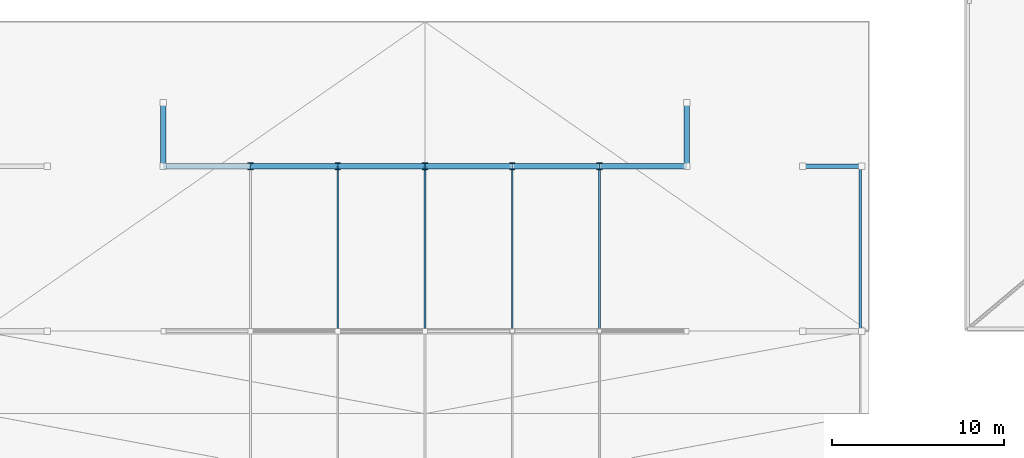
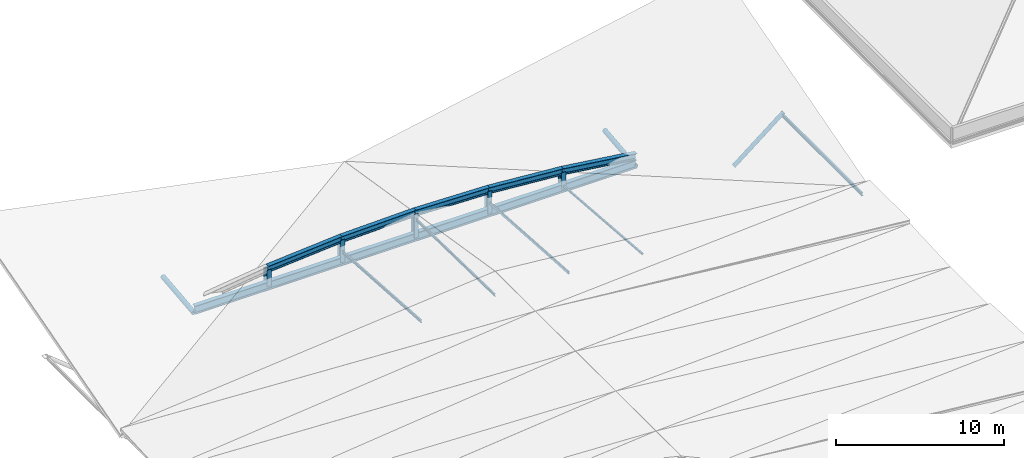
# One storey, part 9 of 16: 19 members.
"""IFC4 building model written with IfcOpenShell, lengths in metres."""

from ifc_helpers import new_model, si_unit, direction, frame, origin, origin_2d, place, context, subcontext, project, spatial, hollow_rectangle, hollow_circle, i_section, extrude, material, material_profile, profile_set, type_object, element, save


model = new_model("IFC4")

# Units and contexts
model_context = context("Model", 3, precision=1e-05, world=origin(), true_north=direction((0.0, 1.0)))
body_context = subcontext(model_context, "Body", "Model", "MODEL_VIEW")
ifc_project = project(units=[si_unit("LENGTHUNIT", "METRE"), si_unit("AREAUNIT", "SQUARE_METRE"), si_unit("VOLUMEUNIT", "CUBIC_METRE"), si_unit("PLANEANGLEUNIT", "RADIAN"), si_unit("MASSUNIT", "GRAM", prefix="KILO")], contexts=[model_context])

# Site, building, storey
site_placement = place(None, origin())
site = spatial("IfcSite", under=ifc_project, at=site_placement, CompositionType="ELEMENT")
building_placement = place(site_placement, origin())
building = spatial("IfcBuilding", under=site, at=building_placement, Name="Myrtia Square Station", CompositionType="ELEMENT")
storey_placement = place(building_placement, frame((0.0, 0.0, 22.800048828125)))
storey = spatial("IfcBuildingStorey", under=building, at=storey_placement, Name="RF", CompositionType="ELEMENT", Elevation=22.800048828125)

# Members
ifc_material = material(Name="Steel S355", Category="steel")
ifc_material_profile_1 = material_profile(ifc_material, i_section(OverallWidth=0.300048828125, OverallDepth=0.39990234375, WebThickness=0.013427734375, FlangeThickness=0.02392578125, FilletRadius=0.027099609375, at=origin_2d()), Name="HEB 400")
ifc_profile_set_1 = profile_set([ifc_material_profile_1], Name="Steel S355")
member_type_1 = type_object("IfcMemberType", Name="CHD-HEB400", PredefinedType="CHORD", material=ifc_profile_set_1)
member_1_placement = place(storey_placement, frame((84.425048828125, 96.0, -1.449951171875), z_axis=(0.0, 0.0, 1.0), x_axis=(1.0, 0.0, 0.0)))
element("IfcMember", 1, at=member_1_placement, inside=storey, type_object=member_type_1, Name="Bowstring arch truss 08 vertical hanger 1", PredefinedType="CHORD", context=body_context, shape_type="SweptSolid", body=[
    extrude(i_section(OverallWidth=0.300048828125, OverallDepth=0.39990234375, WebThickness=0.013427734375, FlangeThickness=0.02392578125, FilletRadius=0.027099609375, at=origin_2d()), origin(), (0.0, 0.0, 1.0), 1.216796875),
])
member_2_placement = place(storey_placement, frame((89.5, 96.0, -1.449951171875), z_axis=(0.0, 0.0, 1.0), x_axis=(1.0, 0.0, 0.0)))
element("IfcMember", 2, at=member_2_placement, inside=storey, type_object=member_type_1, Name="Bowstring arch truss 08 vertical hanger 2", PredefinedType="CHORD", context=body_context, shape_type="SweptSolid", body=[
    extrude(i_section(OverallWidth=0.300048828125, OverallDepth=0.39990234375, WebThickness=0.013427734375, FlangeThickness=0.02392578125, FilletRadius=0.027099609375, at=origin_2d()), origin(), (0.0, 0.0, 1.0), 1.616943359375),
])
member_3_placement = place(storey_placement, frame((94.574951171875, 96.0, -1.449951171875), z_axis=(0.0, 0.0, 1.0), x_axis=(1.0, 0.0, 0.0)))
element("IfcMember", 3, at=member_3_placement, inside=storey, type_object=member_type_1, Name="Bowstring arch truss 08 vertical hanger 3", PredefinedType="CHORD", context=body_context, shape_type="SweptSolid", body=[
    extrude(i_section(OverallWidth=0.300048828125, OverallDepth=0.39990234375, WebThickness=0.013427734375, FlangeThickness=0.02392578125, FilletRadius=0.027099609375, at=origin_2d()), origin(), (0.0, 0.0, 1.0), 1.75),
])
member_4_placement = place(storey_placement, frame((99.64990234375, 96.0, -1.449951171875), z_axis=(0.0, 0.0, 1.0), x_axis=(1.0, 0.0, 0.0)))
element("IfcMember", 4, at=member_4_placement, inside=storey, type_object=member_type_1, Name="Bowstring arch truss 08 vertical hanger 4", PredefinedType="CHORD", context=body_context, shape_type="SweptSolid", body=[
    extrude(i_section(OverallWidth=0.300048828125, OverallDepth=0.39990234375, WebThickness=0.013427734375, FlangeThickness=0.02392578125, FilletRadius=0.027099609375, at=origin_2d()), origin(), (0.0, 0.0, 1.0), 1.616943359375),
])
member_5_placement = place(storey_placement, frame((104.72509765625, 96.0, -1.449951171875), z_axis=(0.0, 0.0, 1.0), x_axis=(1.0, 0.0, 0.0)))
element("IfcMember", 5, at=member_5_placement, inside=storey, type_object=member_type_1, Name="Bowstring arch truss 08 vertical hanger 5", PredefinedType="CHORD", context=body_context, shape_type="SweptSolid", body=[
    extrude(i_section(OverallWidth=0.300048828125, OverallDepth=0.39990234375, WebThickness=0.013427734375, FlangeThickness=0.02392578125, FilletRadius=0.027099609375, at=origin_2d()), origin(), (0.0, 0.0, 1.0), 1.216796875),
])
ifc_material_profile_2 = material_profile(ifc_material, i_section(OverallWidth=0.300048828125, OverallDepth=0.449951171875, WebThickness=0.013916015625, FlangeThickness=0.02587890625, FilletRadius=0.027099609375, at=origin_2d()), Name="HEB 450")
ifc_profile_set_2 = profile_set([ifc_material_profile_2], Name="Steel S355")
member_type_2 = type_object("IfcMemberType", Name="CHD-HEB450", PredefinedType="CHORD", material=ifc_profile_set_2)
member_6_placement = place(storey_placement, frame((84.425048828125, 96.0, -0.233154296875), z_axis=(0.996905966221, 0.0, 0.078603400136), x_axis=(0.0, 1.0, 0.0)))
element("IfcMember", 6, at=member_6_placement, inside=storey, type_object=member_type_2, Name="Bowstring arch truss 08 arch chord 2", PredefinedType="CHORD", context=body_context, shape_type="SweptSolid", body=[
    extrude(i_section(OverallWidth=0.300048828125, OverallDepth=0.449951171875, WebThickness=0.013916015625, FlangeThickness=0.02587890625, FilletRadius=0.027099609375, at=origin_2d()), origin(), (0.0, 0.0, 1.0), 5.0908203125),
])
for number, where, z_axis, x_axis, name in (
    (7, (89.5, 96.0, 0.1669921875), (0.999656477216, 0.0, 0.026209302934), (0.0, 1.0, 0.0), "Bowstring arch truss 08 arch chord 3"),
    (8, (94.574951171875, 96.0, 0.300048828125), (0.999656477216, 0.0, -0.026209302934), (0.0, 1.0, 0.0), "Bowstring arch truss 08 arch chord 4"),
):
    element("IfcMember", number, at=place(storey_placement, frame(where, z_axis=z_axis, x_axis=x_axis)), inside=storey, type_object=member_type_2, Name=name, PredefinedType="CHORD", context=body_context, shape_type="SweptSolid", body=[
        extrude(i_section(OverallWidth=0.300048828125, OverallDepth=0.449951171875, WebThickness=0.013916015625, FlangeThickness=0.02587890625, FilletRadius=0.027099609375, at=origin_2d()), origin(), (0.0, 0.0, 1.0), 5.07666015625),
    ])
member_7_placement = place(storey_placement, frame((99.64990234375, 96.0, 0.1669921875), z_axis=(0.996906262509, 0.0, -0.078599642306), x_axis=(0.0, 1.0, 0.0)))
element("IfcMember", 9, at=member_7_placement, inside=storey, type_object=member_type_2, Name="Bowstring arch truss 08 arch chord 5", PredefinedType="CHORD", context=body_context, shape_type="SweptSolid", body=[
    extrude(i_section(OverallWidth=0.300048828125, OverallDepth=0.449951171875, WebThickness=0.013916015625, FlangeThickness=0.02587890625, FilletRadius=0.027099609375, at=origin_2d()), origin(), (0.0, 0.0, 1.0), 5.091064453125),
])
member_8_placement = place(storey_placement, frame((104.72509765625, 96.0, -0.233154296875), z_axis=(0.991473603665, 0.0, -0.130307686786), x_axis=(0.0, 1.0, 0.0)))
element("IfcMember", 10, at=member_8_placement, inside=storey, type_object=member_type_2, Name="Bowstring arch truss 08 arch chord 6", PredefinedType="CHORD", context=body_context, shape_type="SweptSolid", body=[
    extrude(i_section(OverallWidth=0.300048828125, OverallDepth=0.449951171875, WebThickness=0.013916015625, FlangeThickness=0.02587890625, FilletRadius=0.027099609375, at=origin_2d()), origin(), (0.0, 0.0, 1.0), 5.11865234375),
])
ifc_material_profile_3 = material_profile(ifc_material, i_section(OverallWidth=0.300048828125, OverallDepth=0.60009765625, WebThickness=0.015380859375, FlangeThickness=0.030029296875, FilletRadius=0.027099609375, at=origin_2d()), Name="HEB 600")
ifc_profile_set_3 = profile_set([ifc_material_profile_3], Name="Steel S355")
member_type_3 = type_object("IfcMemberType", Name="CHD-HEB600", PredefinedType="CHORD", material=ifc_profile_set_3)
member_9_placement = place(storey_placement, frame((79.35009765625, 96.0, -1.449951171875), z_axis=(1.0, 0.0, 0.0), x_axis=(0.0, 1.0, 0.0)))
element("IfcMember", 11, at=member_9_placement, inside=storey, type_object=member_type_3, Name="Bowstring arch truss 08 tie chord", PredefinedType="CHORD", context=body_context, shape_type="SweptSolid", body=[
    extrude(i_section(OverallWidth=0.300048828125, OverallDepth=0.60009765625, WebThickness=0.015380859375, FlangeThickness=0.030029296875, FilletRadius=0.027099609375, at=origin_2d()), origin(), (0.0, 0.0, 1.0), 30.449951171875),
])
ifc_material_profile_4 = material_profile(ifc_material, i_section(OverallWidth=0.091064453125, OverallDepth=0.179931640625, WebThickness=0.00537109375, FlangeThickness=0.008056640625, FilletRadius=0.009033203125, at=origin_2d()), Name="IPE 180")
ifc_profile_set_4 = profile_set([ifc_material_profile_4], Name="Steel S355")
member_type_4 = type_object("IfcMemberType", Name="PUR-IPE180", PredefinedType="PURLIN", material=ifc_profile_set_4)
member_10_placement = place(storey_placement, frame((94.574951171875, 86.39990234375, 0.06005859375), z_axis=(0.0, 0.999800283577, -0.019984818241), x_axis=(-1.0, 0.0, 0.0)))
element("IfcMember", 12, at=member_10_placement, inside=storey, type_object=member_type_4, Name="Folded roof purlin PUR-RF-0056", PredefinedType="PURLIN", context=body_context, shape_type="SweptSolid", body=[
    extrude(i_section(OverallWidth=0.091064453125, OverallDepth=0.179931640625, WebThickness=0.00537109375, FlangeThickness=0.008056640625, FilletRadius=0.009033203125, at=origin_2d()), origin(), (0.0, 0.0, 1.0), 9.60205078125),
])
ifc_material_profile_5 = material_profile(ifc_material, i_section(OverallWidth=0.10009765625, OverallDepth=0.199951171875, WebThickness=0.005615234375, FlangeThickness=0.008544921875, FilletRadius=0.011962890625, at=origin_2d()), Name="IPE 200")
ifc_profile_set_5 = profile_set([ifc_material_profile_5], Name="Steel S355")
member_type_5 = type_object("IfcMemberType", Name="PUR-IPE200", PredefinedType="PURLIN", material=ifc_profile_set_5)
member_11_placement = place(storey_placement, frame((89.5, 86.39990234375, -0.0732421875), z_axis=(0.0, 0.997796035526, -0.066355643988), x_axis=(-1.0, 0.0, 0.0)))
element("IfcMember", 13, at=member_11_placement, inside=storey, type_object=member_type_5, Name="Folded roof purlin PUR-RF-0055", PredefinedType="PURLIN", context=body_context, shape_type="SweptSolid", body=[
    extrude(i_section(OverallWidth=0.10009765625, OverallDepth=0.199951171875, WebThickness=0.005615234375, FlangeThickness=0.008544921875, FilletRadius=0.011962890625, at=origin_2d()), origin(), (0.0, 0.0, 1.0), 9.621337890625),
])
ifc_material_profile_6 = material_profile(ifc_material, i_section(OverallWidth=0.1201171875, OverallDepth=0.239990234375, WebThickness=0.006103515625, FlangeThickness=0.009765625, FilletRadius=0.014892578125, at=origin_2d()), Name="IPE 240")
ifc_profile_set_6 = profile_set([ifc_material_profile_6], Name="Steel S355")
member_type_6 = type_object("IfcMemberType", Name="PUR-IPE240", PredefinedType="PURLIN", material=ifc_profile_set_6)
member_12_placement = place(storey_placement, frame((119.89990234375, 86.39990234375, -1.4599609375), z_axis=(0.0, 1.0, 0.0), x_axis=(-1.0, 0.0, 0.0)))
element("IfcMember", 14, at=member_12_placement, inside=storey, type_object=member_type_6, Name="Overhang eave purlin PUR-RF-0060", PredefinedType="PURLIN", context=body_context, shape_type="SweptSolid", body=[
    extrude(i_section(OverallWidth=0.1201171875, OverallDepth=0.239990234375, WebThickness=0.006103515625, FlangeThickness=0.009765625, FilletRadius=0.014892578125, at=origin_2d()), origin(), (0.0, 0.0, 1.0), 9.60009765625),
])
ifc_material_profile_7 = material_profile(ifc_material, hollow_rectangle(XDim=0.10009765625, YDim=0.199951171875, WallThickness=0.008056640625, InnerFilletRadius=0.008056640625, OuterFilletRadius=0.01611328125, at=origin_2d()), Name="RHS 200x100x8")
ifc_profile_set_7 = profile_set([ifc_material_profile_7], Name="Steel S355")
member_type_7 = type_object("IfcMemberType", Name="PUR-RHS200", PredefinedType="PURLIN", material=ifc_profile_set_7)
member_13_placement = place(storey_placement, frame((99.64990234375, 86.39990234375, -0.0732421875), z_axis=(0.0, 0.997796035526, -0.066355643988), x_axis=(-1.0, 0.0, 0.0)))
element("IfcMember", 15, at=member_13_placement, inside=storey, type_object=member_type_7, Name="Folded roof purlin PUR-RF-0057", PredefinedType="PURLIN", context=body_context, shape_type="SweptSolid", body=[
    extrude(hollow_rectangle(XDim=0.10009765625, YDim=0.199951171875, WallThickness=0.008056640625, InnerFilletRadius=0.008056640625, OuterFilletRadius=0.01611328125, at=origin_2d()), origin(), (0.0, 0.0, 1.0), 9.621337890625),
])
ifc_material_profile_8 = material_profile(ifc_material, hollow_rectangle(XDim=0.1201171875, YDim=0.1201171875, WallThickness=0.008056640625, InnerFilletRadius=0.008056640625, OuterFilletRadius=0.01611328125, at=origin_2d()), Name="SHS 120x120x8")
ifc_profile_set_8 = profile_set([ifc_material_profile_8], Name="Steel S355")
member_type_8 = type_object("IfcMemberType", Name="PUR-SHS120", PredefinedType="PURLIN", material=ifc_profile_set_8)
member_14_placement = place(storey_placement, frame((104.72509765625, 86.39990234375, -0.473388671875), z_axis=(0.0, 0.996814794892, -0.079751267604), x_axis=(-1.0, 0.0, 0.0)))
element("IfcMember", 16, at=member_14_placement, inside=storey, type_object=member_type_8, Name="Folded roof purlin PUR-RF-0058", PredefinedType="PURLIN", context=body_context, shape_type="SweptSolid", body=[
    extrude(hollow_rectangle(XDim=0.1201171875, YDim=0.1201171875, WallThickness=0.008056640625, InnerFilletRadius=0.008056640625, OuterFilletRadius=0.01611328125, at=origin_2d()), origin(), (0.0, 0.0, 1.0), 9.630859375),
])
ifc_material_profile_9 = material_profile(ifc_material, hollow_circle(Radius=0.136474609375, WallThickness=0.01611328125, at=origin_2d()), Name="CHS 273x16")
ifc_profile_set_9 = profile_set([ifc_material_profile_9], Name="Steel S355")
member_type_9 = type_object("IfcMemberType", Name="STR-CHS273", PredefinedType="STRUT", material=ifc_profile_set_9)
member_15_placement = place(storey_placement, frame((116.550048828125, 96.0, -4.050048828125), z_axis=(0.782508461371, 0.0, 0.622639950439), x_axis=(0.0, 1.0, 0.0)))
element("IfcMember", 17, at=member_15_placement, inside=storey, type_object=member_type_9, Name="Folded roof overhang raking strut STR-UP-027", PredefinedType="STRUT", context=body_context, shape_type="SweptSolid", body=[
    extrude(hollow_circle(Radius=0.136474609375, WallThickness=0.01611328125, at=origin_2d()), origin(), (0.0, 0.0, 1.0), 4.408935546875),
])
ifc_material_profile_10 = material_profile(ifc_material, hollow_circle(Radius=0.161865234375, WallThickness=0.01611328125, at=origin_2d()), Name="CHS 323.9x16")
ifc_profile_set_10 = profile_set([ifc_material_profile_10], Name="Steel S355")
member_type_10 = type_object("IfcMemberType", Name="STR-CHS323", PredefinedType="STRUT", material=ifc_profile_set_10)
for number, where, z_axis, x_axis, name in (
    (18, (79.35009765625, 96.0, -1.699951171875), (0.0, 0.99434904685, 0.106160129185), (-1.0, 0.0, 0.0), "Gable upper overhang raking strut STR-UP-GAB-030"),
    (19, (109.800048828125, 96.0, -1.699951171875), (0.0, 0.99434904685, 0.106160129185), (-1.0, 0.0, 0.0), "Gable upper overhang raking strut STR-UP-GAB-032"),
):
    element("IfcMember", number, at=place(storey_placement, frame(where, z_axis=z_axis, x_axis=x_axis)), inside=storey, type_object=member_type_10, Name=name, PredefinedType="STRUT", context=body_context, shape_type="SweptSolid", body=[
        extrude(hollow_circle(Radius=0.161865234375, WallThickness=0.01611328125, at=origin_2d()), origin(), (0.0, 0.0, 1.0), 3.720947265625),
    ])

save(model, "model.ifc")
